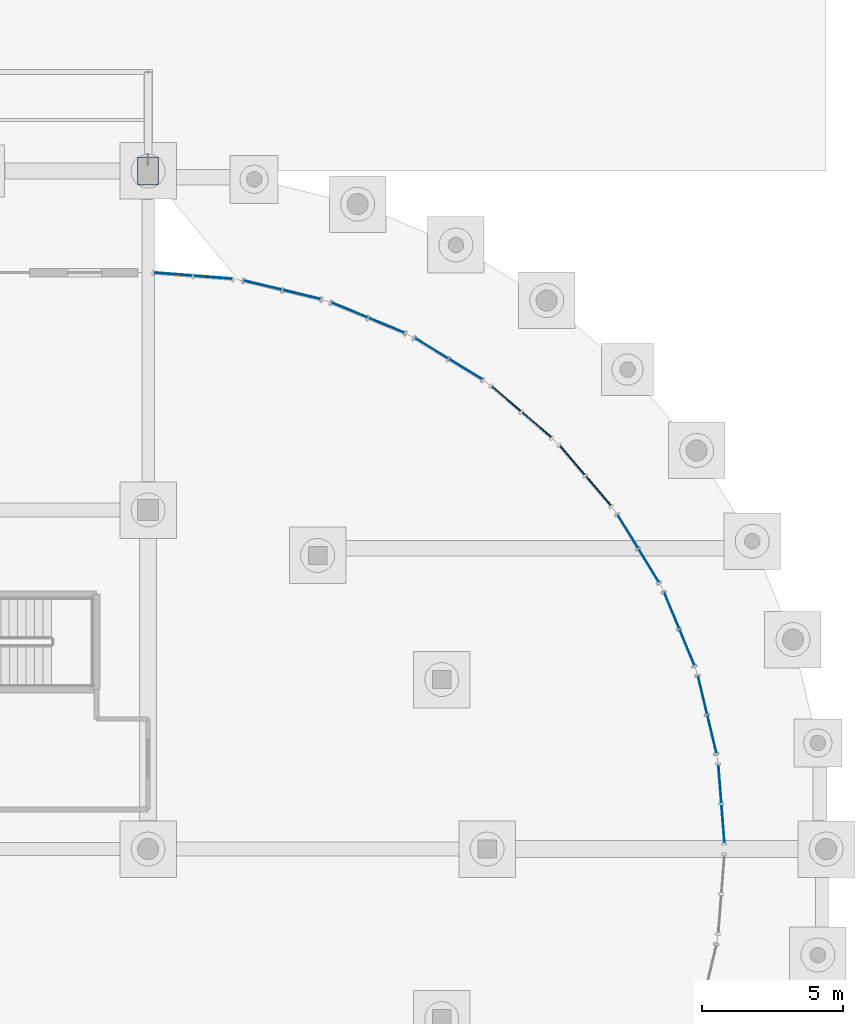
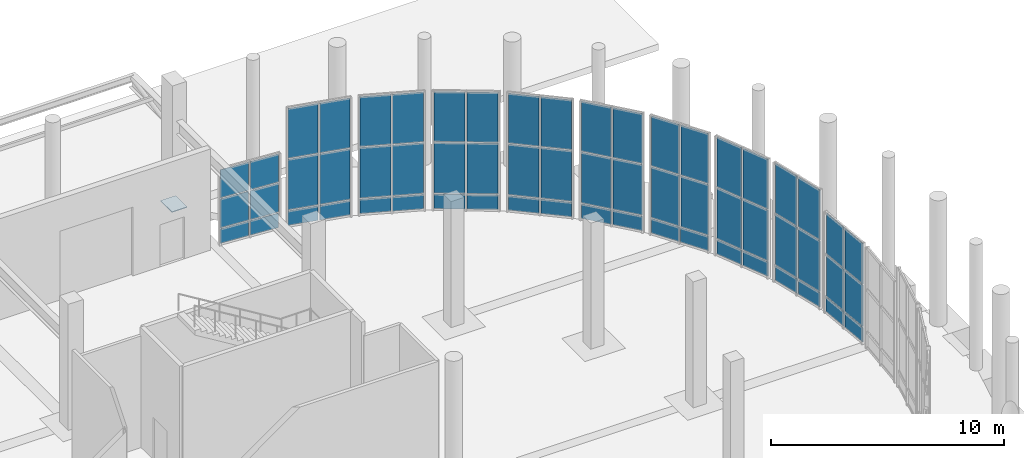
# One storey, part 73 of 117: 61 plates, 10 elements without a shape of their own.
"""IFC4 building model written with IfcOpenShell, lengths in metres."""

from ifc_helpers import new_model, si_unit, direction, frame, origin, origin_2d, place, context, subcontext, project, spatial, rectangle, extrude, material, layer, layer_set, type_object, element, aggregate, save


model = new_model("IFC4")

# Units and contexts
model_context = context("Model", 3, precision=1e-05, world=origin(), true_north=direction((0.0, 1.0)))
body_context = subcontext(model_context, "Body", "Model", "MODEL_VIEW")
ifc_project = project(units=[si_unit("LENGTHUNIT", "METRE"), si_unit("AREAUNIT", "SQUARE_METRE"), si_unit("VOLUMEUNIT", "CUBIC_METRE"), si_unit("PLANEANGLEUNIT", "RADIAN"), si_unit("MASSUNIT", "GRAM", prefix="KILO")], contexts=[model_context])

# Site, building, storey
site_placement = place(None, origin())
site = spatial("IfcSite", under=ifc_project, at=site_placement, CompositionType="ELEMENT")
building_placement = place(site_placement, origin())
building = spatial("IfcBuilding", under=site, at=building_placement, Name="Kamomehara Wholesale Market", CompositionType="ELEMENT")
storey_placement = place(building_placement, origin())
storey = spatial("IfcBuildingStorey", under=building, at=storey_placement, Name="L00", CompositionType="ELEMENT", Elevation=0.0)

# Curtain wall, plates
ifc_material_1 = material(Name="Anodised aluminium 6063-T5", Category="aluminium")
curtain_wall_type = type_object("IfcCurtainWallType", Name="CW-UN-07", PredefinedType="NOTDEFINED", material=ifc_material_1)
curtain_wall_1_placement = place(storey_placement, origin())
curtain_wall_1 = element("IfcCurtainWall", 1, at=curtain_wall_1_placement, inside=storey, type_object=curtain_wall_type, Name="Unitised curtain wall CW-029", PredefinedType="NOTDEFINED")
ifc_material_2 = material(Name="Solar-control Low-E double glazing", Category="glass")
ifc_layer_1 = layer(ifc_material_2, 0.028076171875)
ifc_layer_set_1 = layer_set([ifc_layer_1], Name="Solar-control Low-E double glazing")
plate_type_1 = type_object("IfcPlateType", Name="CW-PNL-GLZ", PredefinedType="CURTAIN_PANEL", material=ifc_layer_set_1)
plate_1_placement = place(storey_placement, frame((180.888916015625, 152.35009765625, 0.88037109375), z_axis=(0.0, 0.0, 1.0), x_axis=(0.996915964212, -0.078476495206, 0.0)))
plate_1 = element("IfcPlate", 2, at=plate_1_placement, type_object=plate_type_1, Name="Curtain panel CW-029.0.1", PredefinedType="CURTAIN_PANEL", context=body_context, shape_type="SweptSolid", body=[
    extrude(rectangle(XDim=1.341064453125, YDim=0.028076171875, at=origin_2d()), origin(), (0.0, 0.0, 1.0), 1.509033203125),
])
plate_2_placement = place(storey_placement, frame((180.888916015625, 152.35009765625, 2.44873046875), z_axis=(0.0, 0.0, 1.0), x_axis=(0.996915964212, -0.078476495206, 0.0)))
plate_2 = element("IfcPlate", 3, at=plate_2_placement, type_object=plate_type_1, Name="Curtain panel CW-029.0.2", PredefinedType="CURTAIN_PANEL", context=body_context, shape_type="SweptSolid", body=[
    extrude(rectangle(XDim=1.341064453125, YDim=0.028076171875, at=origin_2d()), origin(), (0.0, 0.0, 1.0), 1.468994140625),
])
plate_3_placement = place(storey_placement, frame((182.304931640625, 152.239013671875, 0.88037109375), z_axis=(0.0, 0.0, 1.0), x_axis=(0.996915964212, -0.078476495206, 0.0)))
plate_3 = element("IfcPlate", 4, at=plate_3_placement, type_object=plate_type_1, Name="Curtain panel CW-029.1.1", PredefinedType="CURTAIN_PANEL", context=body_context, shape_type="SweptSolid", body=[
    extrude(rectangle(XDim=1.341064453125, YDim=0.028076171875, at=origin_2d()), origin(), (0.0, 0.0, 1.0), 1.509033203125),
])
plate_4_placement = place(storey_placement, frame((182.304931640625, 152.239013671875, 2.44873046875), z_axis=(0.0, 0.0, 1.0), x_axis=(0.996915964212, -0.078476495206, 0.0)))
plate_4 = element("IfcPlate", 5, at=plate_4_placement, type_object=plate_type_1, Name="Curtain panel CW-029.1.2", PredefinedType="CURTAIN_PANEL", context=body_context, shape_type="SweptSolid", body=[
    extrude(rectangle(XDim=1.341064453125, YDim=0.028076171875, at=origin_2d()), origin(), (0.0, 0.0, 1.0), 1.468994140625),
])

curtain_wall_2_placement = place(storey_placement, origin())
curtain_wall_2 = element("IfcCurtainWall", 6, at=curtain_wall_2_placement, inside=storey, type_object=curtain_wall_type, Name="Unitised curtain wall CW-030", PredefinedType="NOTDEFINED")
plate_5_placement = place(storey_placement, frame((184.06103515625, 151.9609375, 0.8798828125), z_axis=(0.0, 0.0, 1.0), x_axis=(0.972398433872, -0.233326564717, 0.0)))
plate_5 = element("IfcPlate", 7, at=plate_5_placement, type_object=plate_type_1, Name="Curtain panel CW-030.0.1", PredefinedType="CURTAIN_PANEL", context=body_context, shape_type="SweptSolid", body=[
    extrude(rectangle(XDim=1.341064453125, YDim=0.028076171875, at=origin_2d()), origin(), (0.0, 0.0, 1.0), 2.64208984375),
])
plate_6_placement = place(storey_placement, frame((184.06103515625, 151.9609375, 3.58154296875), z_axis=(0.0, 0.0, 1.0), x_axis=(0.972398433872, -0.233326564717, 0.0)))
plate_6 = element("IfcPlate", 8, at=plate_6_placement, type_object=plate_type_1, Name="Curtain panel CW-030.0.2", PredefinedType="CURTAIN_PANEL", context=body_context, shape_type="SweptSolid", body=[
    extrude(rectangle(XDim=1.341064453125, YDim=0.028076171875, at=origin_2d()), origin(), (0.0, 0.0, 1.0), 2.60302734375),
])
plate_7_placement = place(storey_placement, frame((185.443115234375, 151.62890625, 0.8798828125), z_axis=(0.0, 0.0, 1.0), x_axis=(0.972398433872, -0.233326564717, 0.0)))
plate_7 = element("IfcPlate", 9, at=plate_7_placement, type_object=plate_type_1, Name="Curtain panel CW-030.1.1", PredefinedType="CURTAIN_PANEL", context=body_context, shape_type="SweptSolid", body=[
    extrude(rectangle(XDim=1.341064453125, YDim=0.028076171875, at=origin_2d()), origin(), (0.0, 0.0, 1.0), 2.64208984375),
])
plate_8_placement = place(storey_placement, frame((185.443115234375, 151.62890625, 3.58154296875), z_axis=(0.0, 0.0, 1.0), x_axis=(0.972398433872, -0.233326564717, 0.0)))
plate_8 = element("IfcPlate", 10, at=plate_8_placement, type_object=plate_type_1, Name="Curtain panel CW-030.1.2", PredefinedType="CURTAIN_PANEL", context=body_context, shape_type="SweptSolid", body=[
    extrude(rectangle(XDim=1.341064453125, YDim=0.028076171875, at=origin_2d()), origin(), (0.0, 0.0, 1.0), 2.60302734375),
])

curtain_wall_3_placement = place(storey_placement, origin())
curtain_wall_3 = element("IfcCurtainWall", 11, at=curtain_wall_3_placement, inside=storey, type_object=curtain_wall_type, Name="Unitised curtain wall CW-031", PredefinedType="NOTDEFINED")
plate_9_placement = place(storey_placement, frame((187.134033203125, 151.080078125, 0.8798828125), z_axis=(0.0, 0.0, 1.0), x_axis=(0.923919601961, -0.382586681829, 0.0)))
plate_9 = element("IfcPlate", 12, at=plate_9_placement, type_object=plate_type_1, Name="Curtain panel CW-031.0.1", PredefinedType="CURTAIN_PANEL", context=body_context, shape_type="SweptSolid", body=[
    extrude(rectangle(XDim=1.341064453125, YDim=0.028076171875, at=origin_2d()), origin(), (0.0, 0.0, 1.0), 2.64208984375),
])
plate_10_placement = place(storey_placement, frame((187.134033203125, 151.080078125, 3.58154296875), z_axis=(0.0, 0.0, 1.0), x_axis=(0.923919601961, -0.382586681829, 0.0)))
plate_10 = element("IfcPlate", 13, at=plate_10_placement, type_object=plate_type_1, Name="Curtain panel CW-031.0.2", PredefinedType="CURTAIN_PANEL", context=body_context, shape_type="SweptSolid", body=[
    extrude(rectangle(XDim=1.341064453125, YDim=0.028076171875, at=origin_2d()), origin(), (0.0, 0.0, 1.0), 2.60302734375),
])
plate_11_placement = place(storey_placement, frame((188.446044921875, 150.535888671875, 0.8798828125), z_axis=(0.0, 0.0, 1.0), x_axis=(0.923919601961, -0.382586681829, 0.0)))
plate_11 = element("IfcPlate", 14, at=plate_11_placement, type_object=plate_type_1, Name="Curtain panel CW-031.1.1", PredefinedType="CURTAIN_PANEL", context=body_context, shape_type="SweptSolid", body=[
    extrude(rectangle(XDim=1.341064453125, YDim=0.028076171875, at=origin_2d()), origin(), (0.0, 0.0, 1.0), 2.64208984375),
])
plate_12_placement = place(storey_placement, frame((188.446044921875, 150.535888671875, 3.58154296875), z_axis=(0.0, 0.0, 1.0), x_axis=(0.923919601961, -0.382586681829, 0.0)))
plate_12 = element("IfcPlate", 15, at=plate_12_placement, type_object=plate_type_1, Name="Curtain panel CW-031.1.2", PredefinedType="CURTAIN_PANEL", context=body_context, shape_type="SweptSolid", body=[
    extrude(rectangle(XDim=1.341064453125, YDim=0.028076171875, at=origin_2d()), origin(), (0.0, 0.0, 1.0), 2.60302734375),
])

curtain_wall_4_placement = place(storey_placement, origin())
curtain_wall_4 = element("IfcCurtainWall", 16, at=curtain_wall_4_placement, inside=storey, type_object=curtain_wall_type, Name="Unitised curtain wall CW-032", PredefinedType="NOTDEFINED")
plate_13_placement = place(storey_placement, frame((190.030029296875, 149.72900390625, 0.8798828125), z_axis=(0.0, 0.0, 1.0), x_axis=(0.852703993233, -0.522394391169, 0.0)))
plate_13 = element("IfcPlate", 17, at=plate_13_placement, type_object=plate_type_1, Name="Curtain panel CW-032.0.1", PredefinedType="CURTAIN_PANEL", context=body_context, shape_type="SweptSolid", body=[
    extrude(rectangle(XDim=1.341064453125, YDim=0.028076171875, at=origin_2d()), origin(), (0.0, 0.0, 1.0), 2.64208984375),
])
plate_14_placement = place(storey_placement, frame((190.030029296875, 149.72900390625, 3.58154296875), z_axis=(0.0, 0.0, 1.0), x_axis=(0.852703993233, -0.522394391169, 0.0)))
plate_14 = element("IfcPlate", 18, at=plate_14_placement, type_object=plate_type_1, Name="Curtain panel CW-032.0.2", PredefinedType="CURTAIN_PANEL", context=body_context, shape_type="SweptSolid", body=[
    extrude(rectangle(XDim=1.341064453125, YDim=0.028076171875, at=origin_2d()), origin(), (0.0, 0.0, 1.0), 2.60302734375),
])
plate_15_placement = place(storey_placement, frame((191.241943359375, 148.986083984375, 0.8798828125), z_axis=(0.0, 0.0, 1.0), x_axis=(0.852703993233, -0.522394391169, 0.0)))
plate_15 = element("IfcPlate", 19, at=plate_15_placement, type_object=plate_type_1, Name="Curtain panel CW-032.1.1", PredefinedType="CURTAIN_PANEL", context=body_context, shape_type="SweptSolid", body=[
    extrude(rectangle(XDim=1.341064453125, YDim=0.028076171875, at=origin_2d()), origin(), (0.0, 0.0, 1.0), 2.64208984375),
])
plate_16_placement = place(storey_placement, frame((191.241943359375, 148.986083984375, 3.58154296875), z_axis=(0.0, 0.0, 1.0), x_axis=(0.852703993233, -0.522394391169, 0.0)))
plate_16 = element("IfcPlate", 20, at=plate_16_placement, type_object=plate_type_1, Name="Curtain panel CW-032.1.2", PredefinedType="CURTAIN_PANEL", context=body_context, shape_type="SweptSolid", body=[
    extrude(rectangle(XDim=1.341064453125, YDim=0.028076171875, at=origin_2d()), origin(), (0.0, 0.0, 1.0), 2.60302734375),
])

curtain_wall_5_placement = place(storey_placement, origin())
curtain_wall_5 = element("IfcCurtainWall", 21, at=curtain_wall_5_placement, inside=storey, type_object=curtain_wall_type, Name="Unitised curtain wall CW-033", PredefinedType="NOTDEFINED")
plate_17_placement = place(storey_placement, frame((192.680908203125, 147.94091796875, 0.8798828125), z_axis=(0.0, 0.0, 1.0), x_axis=(0.760371959537, -0.649487862203, 0.0)))
plate_17 = element("IfcPlate", 22, at=plate_17_placement, type_object=plate_type_1, Name="Curtain panel CW-033.0.1", PredefinedType="CURTAIN_PANEL", context=body_context, shape_type="SweptSolid", body=[
    extrude(rectangle(XDim=1.340087890625, YDim=0.028076171875, at=origin_2d()), origin(), (0.0, 0.0, 1.0), 2.64208984375),
])
plate_18_placement = place(storey_placement, frame((192.680908203125, 147.94091796875, 3.58154296875), z_axis=(0.0, 0.0, 1.0), x_axis=(0.760371959537, -0.649487862203, 0.0)))
plate_18 = element("IfcPlate", 23, at=plate_18_placement, type_object=plate_type_1, Name="Curtain panel CW-033.0.2", PredefinedType="CURTAIN_PANEL", context=body_context, shape_type="SweptSolid", body=[
    extrude(rectangle(XDim=1.340087890625, YDim=0.028076171875, at=origin_2d()), origin(), (0.0, 0.0, 1.0), 2.60302734375),
])
plate_19_placement = place(storey_placement, frame((193.760986328125, 147.01806640625, 0.8798828125), z_axis=(0.0, 0.0, 1.0), x_axis=(0.760371959537, -0.649487862203, 0.0)))
plate_19 = element("IfcPlate", 24, at=plate_19_placement, type_object=plate_type_1, Name="Curtain panel CW-033.1.1", PredefinedType="CURTAIN_PANEL", context=body_context, shape_type="SweptSolid", body=[
    extrude(rectangle(XDim=1.340087890625, YDim=0.028076171875, at=origin_2d()), origin(), (0.0, 0.0, 1.0), 2.64208984375),
])
plate_20_placement = place(storey_placement, frame((193.760986328125, 147.01806640625, 3.58154296875), z_axis=(0.0, 0.0, 1.0), x_axis=(0.760371959537, -0.649487862203, 0.0)))
plate_20 = element("IfcPlate", 25, at=plate_20_placement, type_object=plate_type_1, Name="Curtain panel CW-033.1.2", PredefinedType="CURTAIN_PANEL", context=body_context, shape_type="SweptSolid", body=[
    extrude(rectangle(XDim=1.340087890625, YDim=0.028076171875, at=origin_2d()), origin(), (0.0, 0.0, 1.0), 2.60302734375),
])

curtain_wall_6_placement = place(storey_placement, origin())
curtain_wall_6 = element("IfcCurtainWall", 26, at=curtain_wall_6_placement, inside=storey, type_object=curtain_wall_type, Name="Unitised curtain wall CW-034", PredefinedType="NOTDEFINED")
plate_21_placement = place(storey_placement, frame((195.01806640625, 145.760986328125, 0.880615234375), z_axis=(0.0, 0.0, 1.0), x_axis=(0.649487862203, -0.760371959537, 0.0)))
plate_21 = element("IfcPlate", 27, at=plate_21_placement, type_object=plate_type_1, Name="Curtain panel CW-034.0.1", PredefinedType="CURTAIN_PANEL", context=body_context, shape_type="SweptSolid", body=[
    extrude(rectangle(XDim=1.340087890625, YDim=0.028076171875, at=origin_2d()), origin(), (0.0, 0.0, 1.0), 2.64697265625),
])
plate_22_placement = place(storey_placement, frame((195.01806640625, 145.760986328125, 3.587158203125), z_axis=(0.0, 0.0, 1.0), x_axis=(0.649487862203, -0.760371959537, 0.0)))
plate_22 = element("IfcPlate", 28, at=plate_22_placement, type_object=plate_type_1, Name="Curtain panel CW-034.0.2", PredefinedType="CURTAIN_PANEL", context=body_context, shape_type="SweptSolid", body=[
    extrude(rectangle(XDim=1.340087890625, YDim=0.028076171875, at=origin_2d()), origin(), (0.0, 0.0, 1.0), 2.60791015625),
])
plate_23_placement = place(storey_placement, frame((195.94091796875, 144.680908203125, 0.880615234375), z_axis=(0.0, 0.0, 1.0), x_axis=(0.649487862203, -0.760371959537, 0.0)))
plate_23 = element("IfcPlate", 29, at=plate_23_placement, type_object=plate_type_1, Name="Curtain panel CW-034.1.1", PredefinedType="CURTAIN_PANEL", context=body_context, shape_type="SweptSolid", body=[
    extrude(rectangle(XDim=1.340087890625, YDim=0.028076171875, at=origin_2d()), origin(), (0.0, 0.0, 1.0), 2.64697265625),
])
plate_24_placement = place(storey_placement, frame((195.94091796875, 144.680908203125, 3.587158203125), z_axis=(0.0, 0.0, 1.0), x_axis=(0.649487862203, -0.760371959537, 0.0)))
plate_24 = element("IfcPlate", 30, at=plate_24_placement, type_object=plate_type_1, Name="Curtain panel CW-034.1.2", PredefinedType="CURTAIN_PANEL", context=body_context, shape_type="SweptSolid", body=[
    extrude(rectangle(XDim=1.340087890625, YDim=0.028076171875, at=origin_2d()), origin(), (0.0, 0.0, 1.0), 2.60791015625),
])

curtain_wall_7_placement = place(storey_placement, origin())
curtain_wall_7 = element("IfcCurtainWall", 31, at=curtain_wall_7_placement, inside=storey, type_object=curtain_wall_type, Name="Unitised curtain wall CW-035", PredefinedType="NOTDEFINED")
plate_25_placement = place(storey_placement, frame((196.986083984375, 143.241943359375, 0.880615234375), z_axis=(0.0, 0.0, 1.0), x_axis=(0.522394391169, -0.852703993233, 0.0)))
plate_25 = element("IfcPlate", 32, at=plate_25_placement, type_object=plate_type_1, Name="Curtain panel CW-035.0.1", PredefinedType="CURTAIN_PANEL", context=body_context, shape_type="SweptSolid", body=[
    extrude(rectangle(XDim=1.341064453125, YDim=0.028076171875, at=origin_2d()), origin(), (0.0, 0.0, 1.0), 2.64697265625),
])
plate_26_placement = place(storey_placement, frame((196.986083984375, 143.241943359375, 3.587158203125), z_axis=(0.0, 0.0, 1.0), x_axis=(0.522394391169, -0.852703993233, 0.0)))
plate_26 = element("IfcPlate", 33, at=plate_26_placement, type_object=plate_type_1, Name="Curtain panel CW-035.0.2", PredefinedType="CURTAIN_PANEL", context=body_context, shape_type="SweptSolid", body=[
    extrude(rectangle(XDim=1.341064453125, YDim=0.028076171875, at=origin_2d()), origin(), (0.0, 0.0, 1.0), 2.60791015625),
])
plate_27_placement = place(storey_placement, frame((197.72900390625, 142.030029296875, 0.880615234375), z_axis=(0.0, 0.0, 1.0), x_axis=(0.522394391169, -0.852703993233, 0.0)))
plate_27 = element("IfcPlate", 34, at=plate_27_placement, type_object=plate_type_1, Name="Curtain panel CW-035.1.1", PredefinedType="CURTAIN_PANEL", context=body_context, shape_type="SweptSolid", body=[
    extrude(rectangle(XDim=1.341064453125, YDim=0.028076171875, at=origin_2d()), origin(), (0.0, 0.0, 1.0), 2.64697265625),
])
plate_28_placement = place(storey_placement, frame((197.72900390625, 142.030029296875, 3.587158203125), z_axis=(0.0, 0.0, 1.0), x_axis=(0.522394391169, -0.852703993233, 0.0)))
plate_28 = element("IfcPlate", 35, at=plate_28_placement, type_object=plate_type_1, Name="Curtain panel CW-035.1.2", PredefinedType="CURTAIN_PANEL", context=body_context, shape_type="SweptSolid", body=[
    extrude(rectangle(XDim=1.341064453125, YDim=0.028076171875, at=origin_2d()), origin(), (0.0, 0.0, 1.0), 2.60791015625),
])

curtain_wall_8_placement = place(storey_placement, origin())
curtain_wall_8 = element("IfcCurtainWall", 36, at=curtain_wall_8_placement, inside=storey, type_object=curtain_wall_type, Name="Unitised curtain wall CW-036", PredefinedType="NOTDEFINED")
plate_29_placement = place(storey_placement, frame((198.535888671875, 140.446044921875, 0.880615234375), z_axis=(0.0, 0.0, 1.0), x_axis=(0.382586681829, -0.923919601961, 0.0)))
plate_29 = element("IfcPlate", 37, at=plate_29_placement, type_object=plate_type_1, Name="Curtain panel CW-036.0.1", PredefinedType="CURTAIN_PANEL", context=body_context, shape_type="SweptSolid", body=[
    extrude(rectangle(XDim=1.341064453125, YDim=0.028076171875, at=origin_2d()), origin(), (0.0, 0.0, 1.0), 2.64697265625),
])
plate_30_placement = place(storey_placement, frame((198.535888671875, 140.446044921875, 3.587158203125), z_axis=(0.0, 0.0, 1.0), x_axis=(0.382586681829, -0.923919601961, 0.0)))
plate_30 = element("IfcPlate", 38, at=plate_30_placement, type_object=plate_type_1, Name="Curtain panel CW-036.0.2", PredefinedType="CURTAIN_PANEL", context=body_context, shape_type="SweptSolid", body=[
    extrude(rectangle(XDim=1.341064453125, YDim=0.028076171875, at=origin_2d()), origin(), (0.0, 0.0, 1.0), 2.60791015625),
])
plate_31_placement = place(storey_placement, frame((199.080078125, 139.134033203125, 0.880615234375), z_axis=(0.0, 0.0, 1.0), x_axis=(0.382586681829, -0.923919601961, 0.0)))
plate_31 = element("IfcPlate", 39, at=plate_31_placement, type_object=plate_type_1, Name="Curtain panel CW-036.1.1", PredefinedType="CURTAIN_PANEL", context=body_context, shape_type="SweptSolid", body=[
    extrude(rectangle(XDim=1.341064453125, YDim=0.028076171875, at=origin_2d()), origin(), (0.0, 0.0, 1.0), 2.64697265625),
])
plate_32_placement = place(storey_placement, frame((199.080078125, 139.134033203125, 3.587158203125), z_axis=(0.0, 0.0, 1.0), x_axis=(0.382586681829, -0.923919601961, 0.0)))
plate_32 = element("IfcPlate", 40, at=plate_32_placement, type_object=plate_type_1, Name="Curtain panel CW-036.1.2", PredefinedType="CURTAIN_PANEL", context=body_context, shape_type="SweptSolid", body=[
    extrude(rectangle(XDim=1.341064453125, YDim=0.028076171875, at=origin_2d()), origin(), (0.0, 0.0, 1.0), 2.60791015625),
])

curtain_wall_9_placement = place(storey_placement, origin())
curtain_wall_9 = element("IfcCurtainWall", 41, at=curtain_wall_9_placement, inside=storey, type_object=curtain_wall_type, Name="Unitised curtain wall CW-037", PredefinedType="NOTDEFINED")
plate_33_placement = place(storey_placement, frame((199.62890625, 137.443115234375, 0.880615234375), z_axis=(0.0, 0.0, 1.0), x_axis=(0.233326564717, -0.972398433872, 0.0)))
plate_33 = element("IfcPlate", 42, at=plate_33_placement, type_object=plate_type_1, Name="Curtain panel CW-037.0.1", PredefinedType="CURTAIN_PANEL", context=body_context, shape_type="SweptSolid", body=[
    extrude(rectangle(XDim=1.341064453125, YDim=0.028076171875, at=origin_2d()), origin(), (0.0, 0.0, 1.0), 2.64697265625),
])
plate_34_placement = place(storey_placement, frame((199.62890625, 137.443115234375, 3.587158203125), z_axis=(0.0, 0.0, 1.0), x_axis=(0.233326564717, -0.972398433872, 0.0)))
plate_34 = element("IfcPlate", 43, at=plate_34_placement, type_object=plate_type_1, Name="Curtain panel CW-037.0.2", PredefinedType="CURTAIN_PANEL", context=body_context, shape_type="SweptSolid", body=[
    extrude(rectangle(XDim=1.341064453125, YDim=0.028076171875, at=origin_2d()), origin(), (0.0, 0.0, 1.0), 2.60791015625),
])
plate_35_placement = place(storey_placement, frame((199.9609375, 136.06103515625, 0.880615234375), z_axis=(0.0, 0.0, 1.0), x_axis=(0.233326564717, -0.972398433872, 0.0)))
plate_35 = element("IfcPlate", 44, at=plate_35_placement, type_object=plate_type_1, Name="Curtain panel CW-037.1.1", PredefinedType="CURTAIN_PANEL", context=body_context, shape_type="SweptSolid", body=[
    extrude(rectangle(XDim=1.341064453125, YDim=0.028076171875, at=origin_2d()), origin(), (0.0, 0.0, 1.0), 2.64697265625),
])
plate_36_placement = place(storey_placement, frame((199.9609375, 136.06103515625, 3.587158203125), z_axis=(0.0, 0.0, 1.0), x_axis=(0.233326564717, -0.972398433872, 0.0)))
plate_36 = element("IfcPlate", 45, at=plate_36_placement, type_object=plate_type_1, Name="Curtain panel CW-037.1.2", PredefinedType="CURTAIN_PANEL", context=body_context, shape_type="SweptSolid", body=[
    extrude(rectangle(XDim=1.341064453125, YDim=0.028076171875, at=origin_2d()), origin(), (0.0, 0.0, 1.0), 2.60791015625),
])

curtain_wall_10_placement = place(storey_placement, origin())
curtain_wall_10 = element("IfcCurtainWall", 46, at=curtain_wall_10_placement, inside=storey, type_object=curtain_wall_type, Name="Unitised curtain wall CW-038", PredefinedType="NOTDEFINED")
plate_37_placement = place(storey_placement, frame((200.239013671875, 134.304931640625, 0.880615234375), z_axis=(0.0, 0.0, 1.0), x_axis=(0.078476495206, -0.996915964212, 0.0)))
plate_37 = element("IfcPlate", 47, at=plate_37_placement, type_object=plate_type_1, Name="Curtain panel CW-038.0.1", PredefinedType="CURTAIN_PANEL", context=body_context, shape_type="SweptSolid", body=[
    extrude(rectangle(XDim=1.341064453125, YDim=0.028076171875, at=origin_2d()), origin(), (0.0, 0.0, 1.0), 2.1689453125),
])
plate_38_placement = place(storey_placement, frame((200.239013671875, 134.304931640625, 3.108642578125), z_axis=(0.0, 0.0, 1.0), x_axis=(0.078476495206, -0.996915964212, 0.0)))
plate_38 = element("IfcPlate", 48, at=plate_38_placement, type_object=plate_type_1, Name="Curtain panel CW-038.0.2", PredefinedType="CURTAIN_PANEL", context=body_context, shape_type="SweptSolid", body=[
    extrude(rectangle(XDim=1.341064453125, YDim=0.028076171875, at=origin_2d()), origin(), (0.0, 0.0, 1.0), 2.12890625),
])
plate_39_placement = place(storey_placement, frame((200.35009765625, 132.888916015625, 0.880615234375), z_axis=(0.0, 0.0, 1.0), x_axis=(0.078476495206, -0.996915964212, 0.0)))
plate_39 = element("IfcPlate", 49, at=plate_39_placement, type_object=plate_type_1, Name="Curtain panel CW-038.1.1", PredefinedType="CURTAIN_PANEL", context=body_context, shape_type="SweptSolid", body=[
    extrude(rectangle(XDim=1.341064453125, YDim=0.028076171875, at=origin_2d()), origin(), (0.0, 0.0, 1.0), 2.1689453125),
])
plate_40_placement = place(storey_placement, frame((200.35009765625, 132.888916015625, 3.108642578125), z_axis=(0.0, 0.0, 1.0), x_axis=(0.078476495206, -0.996915964212, 0.0)))
plate_40 = element("IfcPlate", 50, at=plate_40_placement, type_object=plate_type_1, Name="Curtain panel CW-038.1.2", PredefinedType="CURTAIN_PANEL", context=body_context, shape_type="SweptSolid", body=[
    extrude(rectangle(XDim=1.341064453125, YDim=0.028076171875, at=origin_2d()), origin(), (0.0, 0.0, 1.0), 2.12890625),
])

# Plate
ifc_material_3 = material(Name="Insulated aluminium spandrel panel", Category="aluminium")
ifc_layer_2 = layer(ifc_material_3, 0.0400390625)
ifc_layer_set_2 = layer_set([ifc_layer_2], Name="Insulated aluminium spandrel panel")
plate_type_2 = type_object("IfcPlateType", Name="CW-PNL-SPN", PredefinedType="CURTAIN_PANEL", material=ifc_layer_set_2)
plate_41_placement = place(storey_placement, frame((180.888916015625, 152.35009765625, 0.070068359375), z_axis=(0.0, 0.0, 1.0), x_axis=(0.996915964212, -0.078476495206, 0.0)))
plate_41 = element("IfcPlate", 51, at=plate_41_placement, type_object=plate_type_2, Name="Curtain panel CW-029.0.0", PredefinedType="CURTAIN_PANEL", context=body_context, shape_type="SweptSolid", body=[
    extrude(rectangle(XDim=1.341064453125, YDim=0.0400390625, at=origin_2d()), origin(), (0.0, 0.0, 1.0), 0.75),
])

plate_42_placement = place(storey_placement, frame((182.304931640625, 152.239013671875, 0.070068359375), z_axis=(0.0, 0.0, 1.0), x_axis=(0.996915964212, -0.078476495206, 0.0)))
plate_42 = element("IfcPlate", 52, at=plate_42_placement, type_object=plate_type_2, Name="Curtain panel CW-029.1.0", PredefinedType="CURTAIN_PANEL", context=body_context, shape_type="SweptSolid", body=[
    extrude(rectangle(XDim=1.341064453125, YDim=0.0400390625, at=origin_2d()), origin(), (0.0, 0.0, 1.0), 0.75),
])

aggregate(curtain_wall_1, [plate_41, plate_1, plate_2, plate_42, plate_3, plate_4])

plate_43_placement = place(storey_placement, frame((184.06103515625, 151.9609375, 0.070068359375), z_axis=(0.0, 0.0, 1.0), x_axis=(0.972398433872, -0.233326564717, 0.0)))
plate_43 = element("IfcPlate", 53, at=plate_43_placement, type_object=plate_type_2, Name="Curtain panel CW-030.0.0", PredefinedType="CURTAIN_PANEL", context=body_context, shape_type="SweptSolid", body=[
    extrude(rectangle(XDim=1.341064453125, YDim=0.0400390625, at=origin_2d()), origin(), (0.0, 0.0, 1.0), 0.75),
])

plate_44_placement = place(storey_placement, frame((185.443115234375, 151.62890625, 0.070068359375), z_axis=(0.0, 0.0, 1.0), x_axis=(0.972398433872, -0.233326564717, 0.0)))
plate_44 = element("IfcPlate", 54, at=plate_44_placement, type_object=plate_type_2, Name="Curtain panel CW-030.1.0", PredefinedType="CURTAIN_PANEL", context=body_context, shape_type="SweptSolid", body=[
    extrude(rectangle(XDim=1.341064453125, YDim=0.0400390625, at=origin_2d()), origin(), (0.0, 0.0, 1.0), 0.75),
])

aggregate(curtain_wall_2, [plate_43, plate_5, plate_6, plate_44, plate_7, plate_8])

plate_45_placement = place(storey_placement, frame((187.134033203125, 151.080078125, 0.070068359375), z_axis=(0.0, 0.0, 1.0), x_axis=(0.923919601961, -0.382586681829, 0.0)))
plate_45 = element("IfcPlate", 55, at=plate_45_placement, type_object=plate_type_2, Name="Curtain panel CW-031.0.0", PredefinedType="CURTAIN_PANEL", context=body_context, shape_type="SweptSolid", body=[
    extrude(rectangle(XDim=1.341064453125, YDim=0.0400390625, at=origin_2d()), origin(), (0.0, 0.0, 1.0), 0.75),
])

plate_46_placement = place(storey_placement, frame((188.446044921875, 150.535888671875, 0.070068359375), z_axis=(0.0, 0.0, 1.0), x_axis=(0.923919601961, -0.382586681829, 0.0)))
plate_46 = element("IfcPlate", 56, at=plate_46_placement, type_object=plate_type_2, Name="Curtain panel CW-031.1.0", PredefinedType="CURTAIN_PANEL", context=body_context, shape_type="SweptSolid", body=[
    extrude(rectangle(XDim=1.341064453125, YDim=0.0400390625, at=origin_2d()), origin(), (0.0, 0.0, 1.0), 0.75),
])

aggregate(curtain_wall_3, [plate_45, plate_9, plate_10, plate_46, plate_11, plate_12])

plate_47_placement = place(storey_placement, frame((190.030029296875, 149.72900390625, 0.070068359375), z_axis=(0.0, 0.0, 1.0), x_axis=(0.852703993233, -0.522394391169, 0.0)))
plate_47 = element("IfcPlate", 57, at=plate_47_placement, type_object=plate_type_2, Name="Curtain panel CW-032.0.0", PredefinedType="CURTAIN_PANEL", context=body_context, shape_type="SweptSolid", body=[
    extrude(rectangle(XDim=1.341064453125, YDim=0.0400390625, at=origin_2d()), origin(), (0.0, 0.0, 1.0), 0.75),
])

plate_48_placement = place(storey_placement, frame((191.241943359375, 148.986083984375, 0.070068359375), z_axis=(0.0, 0.0, 1.0), x_axis=(0.852703993233, -0.522394391169, 0.0)))
plate_48 = element("IfcPlate", 58, at=plate_48_placement, type_object=plate_type_2, Name="Curtain panel CW-032.1.0", PredefinedType="CURTAIN_PANEL", context=body_context, shape_type="SweptSolid", body=[
    extrude(rectangle(XDim=1.341064453125, YDim=0.0400390625, at=origin_2d()), origin(), (0.0, 0.0, 1.0), 0.75),
])

aggregate(curtain_wall_4, [plate_47, plate_13, plate_14, plate_48, plate_15, plate_16])

plate_49_placement = place(storey_placement, frame((192.680908203125, 147.94091796875, 0.070068359375), z_axis=(0.0, 0.0, 1.0), x_axis=(0.760371959537, -0.649487862203, 0.0)))
plate_49 = element("IfcPlate", 59, at=plate_49_placement, type_object=plate_type_2, Name="Curtain panel CW-033.0.0", PredefinedType="CURTAIN_PANEL", context=body_context, shape_type="SweptSolid", body=[
    extrude(rectangle(XDim=1.340087890625, YDim=0.0400390625, at=origin_2d()), origin(), (0.0, 0.0, 1.0), 0.75),
])

plate_50_placement = place(storey_placement, frame((193.760986328125, 147.01806640625, 0.070068359375), z_axis=(0.0, 0.0, 1.0), x_axis=(0.760371959537, -0.649487862203, 0.0)))
plate_50 = element("IfcPlate", 60, at=plate_50_placement, type_object=plate_type_2, Name="Curtain panel CW-033.1.0", PredefinedType="CURTAIN_PANEL", context=body_context, shape_type="SweptSolid", body=[
    extrude(rectangle(XDim=1.340087890625, YDim=0.0400390625, at=origin_2d()), origin(), (0.0, 0.0, 1.0), 0.75),
])

aggregate(curtain_wall_5, [plate_49, plate_17, plate_18, plate_50, plate_19, plate_20])

plate_51_placement = place(storey_placement, frame((195.01806640625, 145.760986328125, 0.070068359375), z_axis=(0.0, 0.0, 1.0), x_axis=(0.649487862203, -0.760371959537, 0.0)))
plate_51 = element("IfcPlate", 61, at=plate_51_placement, type_object=plate_type_2, Name="Curtain panel CW-034.0.0", PredefinedType="CURTAIN_PANEL", context=body_context, shape_type="SweptSolid", body=[
    extrude(rectangle(XDim=1.340087890625, YDim=0.0400390625, at=origin_2d()), origin(), (0.0, 0.0, 1.0), 0.75),
])

plate_52_placement = place(storey_placement, frame((195.94091796875, 144.680908203125, 0.070068359375), z_axis=(0.0, 0.0, 1.0), x_axis=(0.649487862203, -0.760371959537, 0.0)))
plate_52 = element("IfcPlate", 62, at=plate_52_placement, type_object=plate_type_2, Name="Curtain panel CW-034.1.0", PredefinedType="CURTAIN_PANEL", context=body_context, shape_type="SweptSolid", body=[
    extrude(rectangle(XDim=1.340087890625, YDim=0.0400390625, at=origin_2d()), origin(), (0.0, 0.0, 1.0), 0.75),
])

aggregate(curtain_wall_6, [plate_51, plate_21, plate_22, plate_52, plate_23, plate_24])

plate_53_placement = place(storey_placement, frame((196.986083984375, 143.241943359375, 0.070068359375), z_axis=(0.0, 0.0, 1.0), x_axis=(0.522394391169, -0.852703993233, 0.0)))
plate_53 = element("IfcPlate", 63, at=plate_53_placement, type_object=plate_type_2, Name="Curtain panel CW-035.0.0", PredefinedType="CURTAIN_PANEL", context=body_context, shape_type="SweptSolid", body=[
    extrude(rectangle(XDim=1.341064453125, YDim=0.0400390625, at=origin_2d()), origin(), (0.0, 0.0, 1.0), 0.75),
])

plate_54_placement = place(storey_placement, frame((197.72900390625, 142.030029296875, 0.070068359375), z_axis=(0.0, 0.0, 1.0), x_axis=(0.522394391169, -0.852703993233, 0.0)))
plate_54 = element("IfcPlate", 64, at=plate_54_placement, type_object=plate_type_2, Name="Curtain panel CW-035.1.0", PredefinedType="CURTAIN_PANEL", context=body_context, shape_type="SweptSolid", body=[
    extrude(rectangle(XDim=1.341064453125, YDim=0.0400390625, at=origin_2d()), origin(), (0.0, 0.0, 1.0), 0.75),
])

aggregate(curtain_wall_7, [plate_53, plate_25, plate_26, plate_54, plate_27, plate_28])

plate_55_placement = place(storey_placement, frame((198.535888671875, 140.446044921875, 0.070068359375), z_axis=(0.0, 0.0, 1.0), x_axis=(0.382586681829, -0.923919601961, 0.0)))
plate_55 = element("IfcPlate", 65, at=plate_55_placement, type_object=plate_type_2, Name="Curtain panel CW-036.0.0", PredefinedType="CURTAIN_PANEL", context=body_context, shape_type="SweptSolid", body=[
    extrude(rectangle(XDim=1.341064453125, YDim=0.0400390625, at=origin_2d()), origin(), (0.0, 0.0, 1.0), 0.75),
])

plate_56_placement = place(storey_placement, frame((199.080078125, 139.134033203125, 0.070068359375), z_axis=(0.0, 0.0, 1.0), x_axis=(0.382586681829, -0.923919601961, 0.0)))
plate_56 = element("IfcPlate", 66, at=plate_56_placement, type_object=plate_type_2, Name="Curtain panel CW-036.1.0", PredefinedType="CURTAIN_PANEL", context=body_context, shape_type="SweptSolid", body=[
    extrude(rectangle(XDim=1.341064453125, YDim=0.0400390625, at=origin_2d()), origin(), (0.0, 0.0, 1.0), 0.75),
])

aggregate(curtain_wall_8, [plate_55, plate_29, plate_30, plate_56, plate_31, plate_32])

plate_57_placement = place(storey_placement, frame((199.62890625, 137.443115234375, 0.070068359375), z_axis=(0.0, 0.0, 1.0), x_axis=(0.233326564717, -0.972398433872, 0.0)))
plate_57 = element("IfcPlate", 67, at=plate_57_placement, type_object=plate_type_2, Name="Curtain panel CW-037.0.0", PredefinedType="CURTAIN_PANEL", context=body_context, shape_type="SweptSolid", body=[
    extrude(rectangle(XDim=1.341064453125, YDim=0.0400390625, at=origin_2d()), origin(), (0.0, 0.0, 1.0), 0.75),
])

plate_58_placement = place(storey_placement, frame((199.9609375, 136.06103515625, 0.070068359375), z_axis=(0.0, 0.0, 1.0), x_axis=(0.233326564717, -0.972398433872, 0.0)))
plate_58 = element("IfcPlate", 68, at=plate_58_placement, type_object=plate_type_2, Name="Curtain panel CW-037.1.0", PredefinedType="CURTAIN_PANEL", context=body_context, shape_type="SweptSolid", body=[
    extrude(rectangle(XDim=1.341064453125, YDim=0.0400390625, at=origin_2d()), origin(), (0.0, 0.0, 1.0), 0.75),
])

aggregate(curtain_wall_9, [plate_57, plate_33, plate_34, plate_58, plate_35, plate_36])

plate_59_placement = place(storey_placement, frame((200.239013671875, 134.304931640625, 0.070068359375), z_axis=(0.0, 0.0, 1.0), x_axis=(0.078476495206, -0.996915964212, 0.0)))
plate_59 = element("IfcPlate", 69, at=plate_59_placement, type_object=plate_type_2, Name="Curtain panel CW-038.0.0", PredefinedType="CURTAIN_PANEL", context=body_context, shape_type="SweptSolid", body=[
    extrude(rectangle(XDim=1.341064453125, YDim=0.0400390625, at=origin_2d()), origin(), (0.0, 0.0, 1.0), 0.75),
])

plate_60_placement = place(storey_placement, frame((200.35009765625, 132.888916015625, 0.070068359375), z_axis=(0.0, 0.0, 1.0), x_axis=(0.078476495206, -0.996915964212, 0.0)))
plate_60 = element("IfcPlate", 70, at=plate_60_placement, type_object=plate_type_2, Name="Curtain panel CW-038.1.0", PredefinedType="CURTAIN_PANEL", context=body_context, shape_type="SweptSolid", body=[
    extrude(rectangle(XDim=1.341064453125, YDim=0.0400390625, at=origin_2d()), origin(), (0.0, 0.0, 1.0), 0.75),
])

aggregate(curtain_wall_10, [plate_59, plate_37, plate_38, plate_60, plate_39, plate_40])

ifc_material_4 = material(Name="Steel SN490B", Category="steel")
ifc_layer_3 = layer(ifc_material_4, 0.031982421875)
ifc_layer_set_3 = layer_set([ifc_layer_3], Name="Steel SN490B")
plate_type_3 = type_object("IfcPlateType", Name="PLT-BAS-32", PredefinedType="USERDEFINED", material=ifc_layer_set_3)
plate_61_placement = place(storey_placement, frame((180.0, 156.0, 0.0), z_axis=(0.0, 0.0, 1.0), x_axis=(1.0, 0.0, 0.0)))
element("IfcPlate", 71, at=plate_61_placement, inside=storey, type_object=plate_type_3, Name="Column base plate V1 180", ObjectType="BASE PLATE", PredefinedType="USERDEFINED", context=body_context, shape_type="SweptSolid", body=[
    extrude(rectangle(XDim=0.75, YDim=0.97998046875, at=origin_2d()), origin(), (0.0, 0.0, 1.0), 0.031982421875),
])

save(model, "model.ifc")
